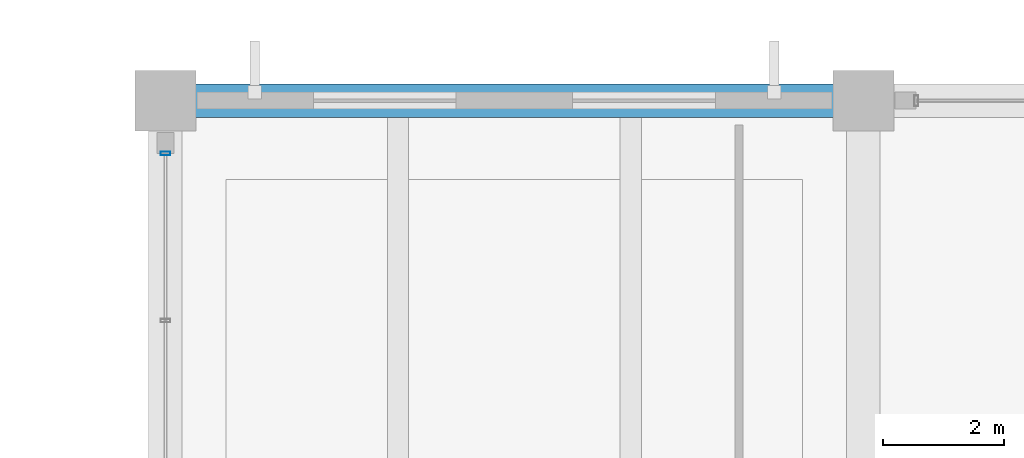
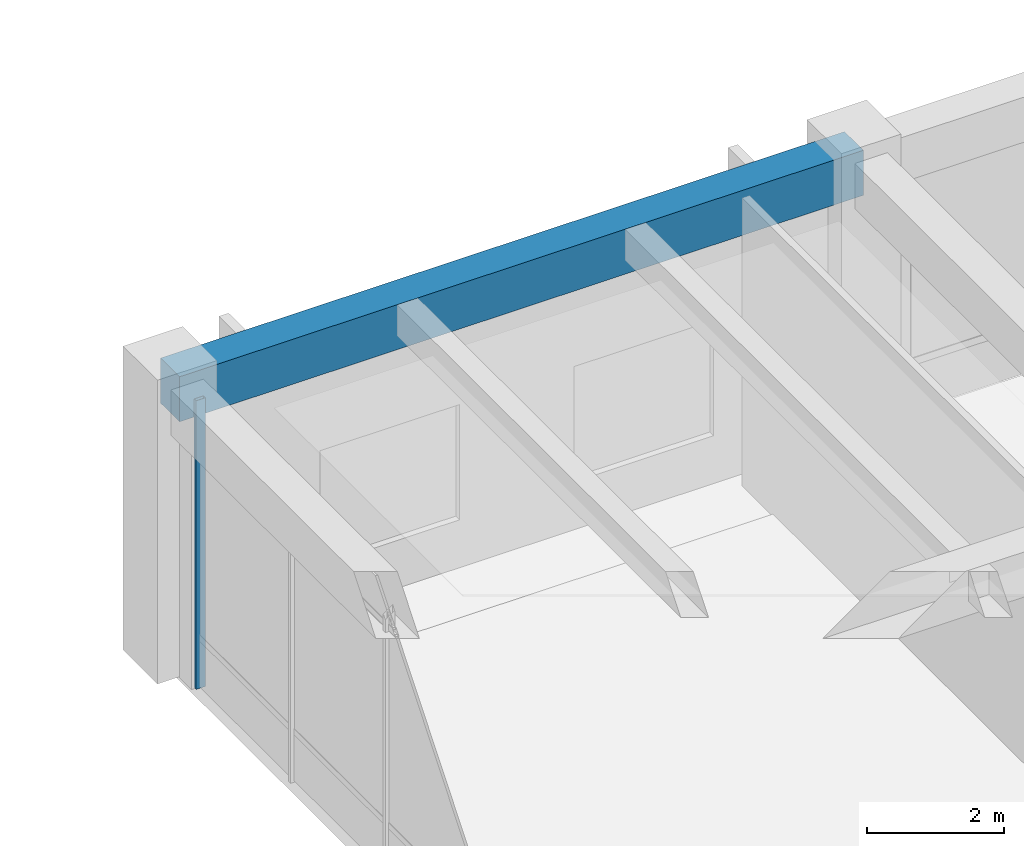
# One storey, part 83 of 148: 1 beam, 1 member, 1 element without a shape of its own.
"""IFC4 building model written with IfcOpenShell, lengths in metres."""

from ifc_helpers import new_model, si_unit, direction, frame, origin, origin_2d, place, context, subcontext, project, spatial, rectangle, hollow_rectangle, extrude, material, material_profile, profile_set, type_object, element, aggregate, save


model = new_model("IFC4")

# Units and contexts
model_context = context("Model", 3, precision=1e-05, world=origin(), true_north=direction((0.0, 1.0)))
body_context = subcontext(model_context, "Body", "Model", "MODEL_VIEW")
ifc_project = project(units=[si_unit("LENGTHUNIT", "METRE"), si_unit("AREAUNIT", "SQUARE_METRE"), si_unit("VOLUMEUNIT", "CUBIC_METRE"), si_unit("PLANEANGLEUNIT", "RADIAN"), si_unit("MASSUNIT", "GRAM", prefix="KILO")], contexts=[model_context])

# Site, building, storey
site_placement = place(None, origin())
site = spatial("IfcSite", under=ifc_project, at=site_placement, CompositionType="ELEMENT")
building_placement = place(site_placement, origin())
building = spatial("IfcBuilding", under=site, at=building_placement, Name="Ologun Quay Terminus", CompositionType="ELEMENT")
storey_placement = place(building_placement, frame((0.0, 0.0, 8.39990234375)))
storey = spatial("IfcBuildingStorey", under=building, at=storey_placement, Name="L02", CompositionType="ELEMENT", Elevation=8.39990234375)

# Curtain wall, member
ifc_material_1 = material(Name="Aluminium 6063-T6", Category="aluminium")
curtain_wall_type = type_object("IfcCurtainWallType", Name="Rain-Garden East Courtyard Curtain Wall L02 9200x5000", PredefinedType="USERDEFINED", material=ifc_material_1)
curtain_wall_placement = place(storey_placement, origin())
curtain_wall = element("IfcCurtainWall", 1, at=curtain_wall_placement, inside=storey, type_object=curtain_wall_type, Name="CW-19 Curtain Wall CW-L02-137", ObjectType="UNITISED CURTAIN WALL", PredefinedType="USERDEFINED")
ifc_material_2 = material(Name="Aluminium 6063-T6", Category="aluminium")
ifc_material_profile_1 = material_profile(ifc_material_2, hollow_rectangle(XDim=0.06005859375, YDim=0.159912109375, WallThickness=0.00390625, at=origin_2d()), Name="ALU 160x60x4")
ifc_profile_set_1 = profile_set([ifc_material_profile_1], Name="Aluminium 6063-T6")
member_type = type_object("IfcMemberType", Name="Courtyard Screen Mullion 160x65", PredefinedType="MULLION", material=ifc_profile_set_1)
member_placement = place(storey_placement, frame((115.0, 113.929931640625, 0.0), z_axis=(0.0, 0.0, 1.0), x_axis=(0.0, 1.0, 0.0)))
member = element("IfcMember", 2, at=member_placement, type_object=member_type, Name="CW-L02-137 Mullion 4", PredefinedType="MULLION", context=body_context, shape_type="SweptSolid", body=[
    extrude(hollow_rectangle(XDim=0.06005859375, YDim=0.159912109375, WallThickness=0.00390625, at=origin_2d()), origin(), (0.0, 0.0, 1.0), 5.130126953125),
])
aggregate(curtain_wall, [member])

# Beam
ifc_material_3 = material(Name="Concrete C40/50", Category="concrete")
ifc_material_profile_2 = material_profile(ifc_material_3, rectangle(XDim=0.550048828125, YDim=0.800048828125, at=origin_2d()), Name="RC 550x800")
ifc_profile_set_2 = profile_set([ifc_material_profile_2], Name="Concrete C40/50")
beam_type = type_object("IfcBeamType", Name="Courtyard Wing Primary Girder 550x800", PredefinedType="BEAM", material=ifc_profile_set_2)
beam_placement = place(storey_placement, frame((115.0, 114.800048828125, 4.75), z_axis=(1.0, 0.0, 0.0), x_axis=(0.0, 1.0, 0.0)))
element("IfcBeam", 3, at=beam_placement, inside=storey, type_object=beam_type, Name="B4 Beam 11/K L02", PredefinedType="BEAM", context=body_context, shape_type="SweptSolid", body=[
    extrude(rectangle(XDim=0.550048828125, YDim=0.800048828125, at=origin_2d()), origin(), (0.0, 0.0, 1.0), 11.5),
])

save(model, "model.ifc")
